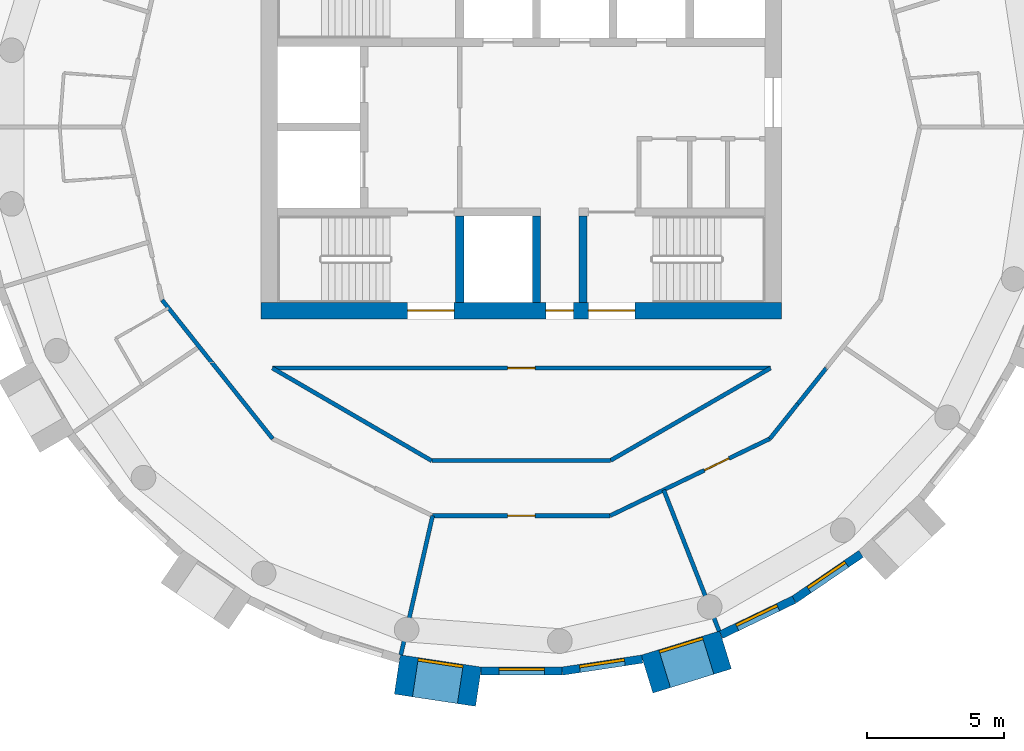
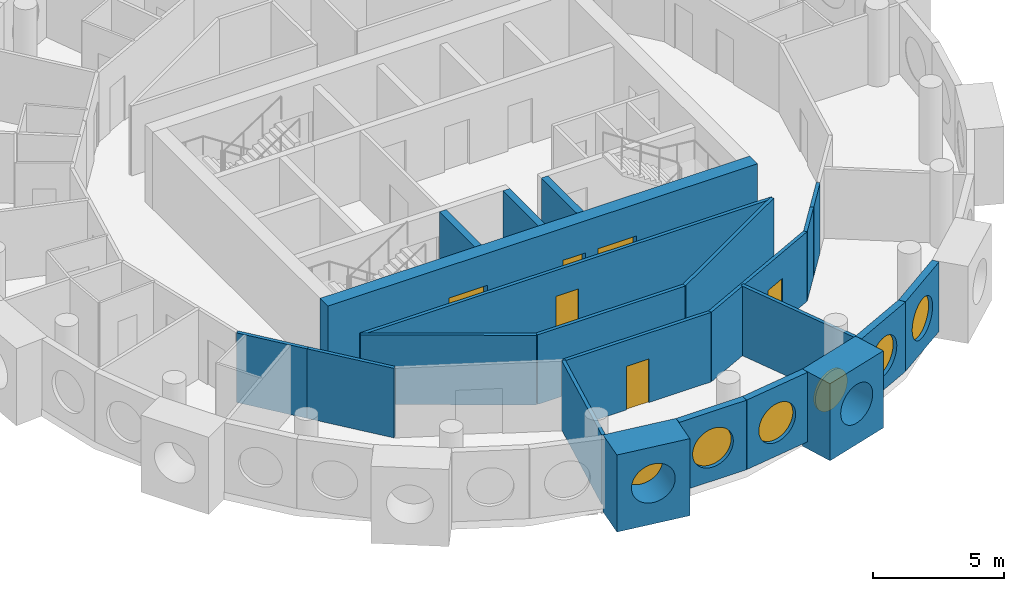
# One storey, part 3 of 12: 22 walls, 6 doors, 6 windows, 12 openings.
"""IFC4 building model written with IfcOpenShell, lengths in metres."""

from ifc_helpers import new_model, si_unit, direction, frame, frame_2d, origin, origin_2d, place, context, subcontext, project, spatial, rectangle, circle, extrude, material, layer, layer_set, type_object, element, fill, save


model = new_model("IFC4")

# Units and contexts
model_context = context("Model", 3, precision=1e-05, world=origin(), true_north=direction((0.0, 1.0)))
body_context = subcontext(model_context, "Body", "Model", "MODEL_VIEW")
ifc_project = project(units=[si_unit("LENGTHUNIT", "METRE"), si_unit("AREAUNIT", "SQUARE_METRE"), si_unit("VOLUMEUNIT", "CUBIC_METRE"), si_unit("PLANEANGLEUNIT", "RADIAN"), si_unit("MASSUNIT", "GRAM", prefix="KILO")], contexts=[model_context])

# Site, building, storey
site_placement = place(None, origin())
site = spatial("IfcSite", under=ifc_project, at=site_placement, CompositionType="ELEMENT")
building_placement = place(site_placement, origin())
building = spatial("IfcBuilding", under=site, at=building_placement, Name="Tracery Tower", CompositionType="ELEMENT")
storey_placement = place(building_placement, frame((0.0, 0.0, 312.60009765625)))
storey = spatial("IfcBuildingStorey", under=building, at=storey_placement, Name="L81", CompositionType="ELEMENT", Elevation=312.60009765625)

# Wall, openings, doors
ifc_material_1 = material(Name="Concrete C40/50", Category="concrete")
ifc_layer_1 = layer(ifc_material_1, 0.60009765625)
ifc_layer_set_1 = layer_set([ifc_layer_1], Name="Core wall 600 C40")
wall_type_1 = type_object("IfcWallType", Name="Core wall 600 C40", PredefinedType="SOLIDWALL", material=ifc_layer_set_1)
wall_1_placement = place(storey_placement, frame((-9.5, -6.699951171875, 0.0), z_axis=(0.0, 0.0, 1.0), x_axis=(1.0, 0.0, 0.0)))
wall_1 = element("IfcWall", 1, at=wall_1_placement, inside=storey, type_object=wall_type_1, Name="L81 outer S", PredefinedType="SOLIDWALL", context=body_context, shape_type="SweptSolid", body=[
    extrude(rectangle(XDim=19.0, YDim=0.60009765625, at=frame_2d((9.5, 0.0))), origin(), (0.0, 0.0, 1.0), 3.599853515625),
])
opening_1_placement = place(wall_1_placement, frame((10.39990234375, 0.0, 0.0)))
opening_1 = element("IfcOpeningElement", 2, at=opening_1_placement, cuts=wall_1, Name="Opening KD16", PredefinedType="OPENING", context=body_context, shape_type="SweptSolid", body=[
    extrude(rectangle(XDim=1.0, YDim=2.10009765625, at=frame_2d((0.5, 1.050048828125))), frame((0.0, 0.300048828125, 0.0), z_axis=(0.0, -1.0, 0.0), x_axis=(1.0, 0.0, 0.0)), (0.0, 0.0, 1.0), 0.60009765625),
])
opening_2_placement = place(wall_1_placement, frame((5.35009765625, 0.0, 0.0)))
opening_2 = element("IfcOpeningElement", 3, at=opening_2_placement, cuts=wall_1, Name="Opening KD3", PredefinedType="OPENING", context=body_context, shape_type="SweptSolid", body=[
    extrude(rectangle(XDim=1.699951171875, YDim=2.10009765625, at=frame_2d((0.85009765625, 1.050048828125))), frame((0.0, 0.300048828125, 0.0), z_axis=(0.0, -1.0, 0.0), x_axis=(1.0, 0.0, 0.0)), (0.0, 0.0, 1.0), 0.60009765625),
])
opening_3_placement = place(wall_1_placement, frame((11.949951171875, 0.0, 0.0)))
opening_3 = element("IfcOpeningElement", 4, at=opening_3_placement, cuts=wall_1, Name="Opening KD3", PredefinedType="OPENING", context=body_context, shape_type="SweptSolid", body=[
    extrude(rectangle(XDim=1.699951171875, YDim=2.10009765625, at=frame_2d((0.85009765625, 1.050048828125))), frame((0.0, 0.300048828125, 0.0), z_axis=(0.0, -1.0, 0.0), x_axis=(1.0, 0.0, 0.0)), (0.0, 0.0, 1.0), 0.60009765625),
])
ifc_material_2 = material(Name="Steel fire door", Category="steel")
door_type_1 = type_object("IfcDoorType", Name="Core exit door 1000", OperationType="NOTDEFINED", PredefinedType="DOOR", material=ifc_material_2)
door_1_placement = place(opening_1_placement, origin())
door_1 = element("IfcDoor", 5, at=door_1_placement, inside=storey, type_object=door_type_1, Name="Core exit door", OperationType="SINGLE_SWING_LEFT", OverallHeight=2.10009765625, OverallWidth=1.0, PredefinedType="DOOR", context=body_context, shape_type="SweptSolid", body=[
    extrude(rectangle(XDim=1.0, YDim=2.10009765625, at=frame_2d((0.5, 1.050048828125))), frame((0.0, 0.02490234375, 0.0), z_axis=(0.0, -1.0, 0.0), x_axis=(1.0, 0.0, 0.0)), (0.0, 0.0, 1.0), 0.050048828125),
])
fill(opening_1, door_1)
ifc_material_3 = material(Name="Steel fire door", Category="steel")
door_type_2 = type_object("IfcDoorType", Name="Core stair door 1700 double", OperationType="NOTDEFINED", PredefinedType="DOOR", material=ifc_material_3)
door_2_placement = place(opening_2_placement, origin())
door_2 = element("IfcDoor", 6, at=door_2_placement, inside=storey, type_object=door_type_2, Name="Stair door ST1 exit", OperationType="DOUBLE_DOOR_SINGLE_SWING", OverallHeight=2.10009765625, OverallWidth=1.699951171875, PredefinedType="DOOR", context=body_context, shape_type="SweptSolid", body=[
    extrude(rectangle(XDim=1.699951171875, YDim=2.10009765625, at=frame_2d((0.85009765625, 1.050048828125))), frame((0.0, 0.02490234375, 0.0), z_axis=(0.0, -1.0, 0.0), x_axis=(1.0, 0.0, 0.0)), (0.0, 0.0, 1.0), 0.050048828125),
])
fill(opening_2, door_2)
door_3_placement = place(opening_3_placement, origin())
door_3 = element("IfcDoor", 7, at=door_3_placement, inside=storey, type_object=door_type_2, Name="Stair door ST2 exit", OperationType="DOUBLE_DOOR_SINGLE_SWING", OverallHeight=2.10009765625, OverallWidth=1.699951171875, PredefinedType="DOOR", context=body_context, shape_type="SweptSolid", body=[
    extrude(rectangle(XDim=1.699951171875, YDim=2.10009765625, at=frame_2d((0.85009765625, 1.050048828125))), frame((0.0, 0.02490234375, 0.0), z_axis=(0.0, -1.0, 0.0), x_axis=(1.0, 0.0, 0.0)), (0.0, 0.0, 1.0), 0.050048828125),
])
fill(opening_3, door_3)

# Wall, opening, window
ifc_material_4 = material(Name="Precast concrete C50/60", Category="concrete")
ifc_layer_2 = layer(ifc_material_4, 1.449951171875)
ifc_layer_set_2 = layer_set([ifc_layer_2], Name="Deep-set bay unit 3000 x 3600, slab edge 350")
wall_type_2 = type_object("IfcWallType", Name="Deep-set bay unit 3000 x 3600, slab edge 350", PredefinedType="ELEMENTEDWALL", material=ifc_layer_set_2)
wall_2_placement = place(storey_placement, frame((-4.52978515625, -19.9892578125, -0.35009765625), z_axis=(0.0, 0.0, 1.0), x_axis=(0.988836445254, -0.149004981587, 0.0)))
wall_2 = element("IfcWall", 8, at=wall_2_placement, inside=storey, type_object=wall_type_2, Name="Deep-set bay unit 31 at L81", PredefinedType="ELEMENTEDWALL", context=body_context, shape_type="SweptSolid", body=[
    extrude(rectangle(XDim=3.0, YDim=1.449951171875, at=frame_2d((1.5, 0.0))), origin(), (0.0, 0.0, 1.0), 3.60009765625),
])
opening_4_placement = place(wall_2_placement, frame((1.5, 0.0, 1.89990234375)))
opening_4 = element("IfcOpeningElement", 9, at=opening_4_placement, cuts=wall_2, Name="Opening WN1", PredefinedType="OPENING", context=body_context, shape_type="SweptSolid", body=[
    extrude(circle(Radius=0.9000244140625, at=origin_2d()), frame((0.0, 0.73486328125, 0.0), z_axis=(0.0, -1.0, 0.0), x_axis=(1.0, 0.0, 0.0)), (0.0, 0.0, 1.0), 1.469970703125),
])
ifc_material_5 = material(Name="Aluminium frame with tinted double glazing", Category="aluminium")
window_type = type_object("IfcWindowType", Name="Round window 1800", PartitioningType="SINGLE_PANEL", PredefinedType="WINDOW", material=ifc_material_5)
window_1_placement = place(opening_4_placement, origin())
window_1 = element("IfcWindow", 10, at=window_1_placement, inside=storey, type_object=window_type, Name="Round window 31 at L81", OverallHeight=1.800048828125, OverallWidth=1.800048828125, PartitioningType="SINGLE_PANEL", PredefinedType="WINDOW", context=body_context, shape_type="SweptSolid", body=[
    extrude(circle(Radius=0.9000244140625, at=origin_2d()), frame((0.0, 0.69482421875, 0.0), z_axis=(0.0, -1.0, 0.0), x_axis=(1.0, 0.0, 0.0)), (0.0, 0.0, 1.0), 0.10009765625),
])
fill(opening_4, window_1)

wall_3_placement = place(storey_placement, frame((4.591796875, -19.97509765625, -0.35009765625), z_axis=(0.0, 0.0, 1.0), x_axis=(0.955571139978, 0.294760574774, 0.0)))
wall_3 = element("IfcWall", 11, at=wall_3_placement, inside=storey, type_object=wall_type_2, Name="Deep-set bay unit 34 at L81", PredefinedType="ELEMENTEDWALL", context=body_context, shape_type="SweptSolid", body=[
    extrude(rectangle(XDim=3.0, YDim=1.449951171875, at=frame_2d((1.5, 0.0))), origin(), (0.0, 0.0, 1.0), 3.60009765625),
])
opening_5_placement = place(wall_3_placement, frame((1.5, 0.0, 1.89990234375)))
opening_5 = element("IfcOpeningElement", 12, at=opening_5_placement, cuts=wall_3, Name="Opening WN1", PredefinedType="OPENING", context=body_context, shape_type="SweptSolid", body=[
    extrude(circle(Radius=0.9000244140625, at=origin_2d()), frame((0.0, 0.73486328125, 0.0), z_axis=(0.0, -1.0, 0.0), x_axis=(1.0, 0.0, 0.0)), (0.0, 0.0, 1.0), 1.469970703125),
])
window_2_placement = place(opening_5_placement, origin())
window_2 = element("IfcWindow", 13, at=window_2_placement, inside=storey, type_object=window_type, Name="Round window 34 at L81", OverallHeight=1.800048828125, OverallWidth=1.800048828125, PartitioningType="SINGLE_PANEL", PredefinedType="WINDOW", context=body_context, shape_type="SweptSolid", body=[
    extrude(circle(Radius=0.9000244140625, at=origin_2d()), frame((0.0, 0.69482421875, 0.0), z_axis=(0.0, -1.0, 0.0), x_axis=(1.0, 0.0, 0.0)), (0.0, 0.0, 1.0), 0.10009765625),
])
fill(opening_5, window_2)

ifc_material_6 = material(Name="Precast concrete C50/60", Category="concrete")
ifc_layer_3 = layer(ifc_material_6, 0.300048828125)
ifc_layer_set_3 = layer_set([ifc_layer_3], Name="Facade panel 3000 x 3250")
wall_type_3 = type_object("IfcWallType", Name="Facade panel 3000 x 3250", PredefinedType="SOLIDWALL", material=ifc_layer_set_3)
wall_4_placement = place(storey_placement, frame((-1.473388671875, -19.865966796875, 0.0), z_axis=(0.0, 0.0, 1.0), x_axis=(1.0, 0.0, 0.0)))
wall_4 = element("IfcWall", 14, at=wall_4_placement, inside=storey, type_object=wall_type_3, Name="Facade panel 32 at L81", PredefinedType="SOLIDWALL", context=body_context, shape_type="SweptSolid", body=[
    extrude(rectangle(XDim=2.962158203125, YDim=0.300048828125, at=frame_2d((1.48095703125, 0.0))), origin(), (0.0, 0.0, 1.0), 3.25),
])
opening_6_placement = place(wall_4_placement, frame((1.48095703125, 0.0, 1.5498046875)))
opening_6 = element("IfcOpeningElement", 15, at=opening_6_placement, cuts=wall_4, Name="Opening WN1", PredefinedType="OPENING", context=body_context, shape_type="SweptSolid", body=[
    extrude(circle(Radius=0.9000244140625, at=origin_2d()), frame((0.0, 0.159912109375, 0.0), z_axis=(0.0, -1.0, 0.0), x_axis=(1.0, 0.0, 0.0)), (0.0, 0.0, 1.0), 0.320068359375),
])
window_3_placement = place(opening_6_placement, origin())
window_3 = element("IfcWindow", 16, at=window_3_placement, inside=storey, type_object=window_type, Name="Round window 32 at L81", OverallHeight=1.800048828125, OverallWidth=1.800048828125, PartitioningType="SINGLE_PANEL", PredefinedType="WINDOW", context=body_context, shape_type="SweptSolid", body=[
    extrude(circle(Radius=0.9000244140625, at=origin_2d()), frame((0.0, 0.1201171875, 0.0), z_axis=(0.0, -1.0, 0.0), x_axis=(1.0, 0.0, 0.0)), (0.0, 0.0, 1.0), 0.10009765625),
])
fill(opening_6, window_3)

wall_5_placement = place(storey_placement, frame((1.48876953125, -19.865966796875, 0.0), z_axis=(0.0, 0.0, 1.0), x_axis=(0.988835775663, 0.149009425104, 0.0)))
wall_5 = element("IfcWall", 17, at=wall_5_placement, inside=storey, type_object=wall_type_3, Name="Facade panel 33 at L81", PredefinedType="SOLIDWALL", context=body_context, shape_type="SweptSolid", body=[
    extrude(rectangle(XDim=2.962158203125, YDim=0.300048828125, at=frame_2d((1.48095703125, 0.0))), origin(), (0.0, 0.0, 1.0), 3.25),
])
opening_7_placement = place(wall_5_placement, frame((1.48095703125, 0.0, 1.5498046875)))
opening_7 = element("IfcOpeningElement", 18, at=opening_7_placement, cuts=wall_5, Name="Opening WN1", PredefinedType="OPENING", context=body_context, shape_type="SweptSolid", body=[
    extrude(circle(Radius=0.9000244140625, at=origin_2d()), frame((0.0, 0.159912109375, 0.0), z_axis=(0.0, -1.0, 0.0), x_axis=(1.0, 0.0, 0.0)), (0.0, 0.0, 1.0), 0.320068359375),
])
window_4_placement = place(opening_7_placement, origin())
window_4 = element("IfcWindow", 19, at=window_4_placement, inside=storey, type_object=window_type, Name="Round window 33 at L81", OverallHeight=1.800048828125, OverallWidth=1.800048828125, PartitioningType="SINGLE_PANEL", PredefinedType="WINDOW", context=body_context, shape_type="SweptSolid", body=[
    extrude(circle(Radius=0.9000244140625, at=origin_2d()), frame((0.0, 0.1201171875, 0.0), z_axis=(0.0, -1.0, 0.0), x_axis=(1.0, 0.0, 0.0)), (0.0, 0.0, 1.0), 0.10009765625),
])
fill(opening_7, window_4)

wall_6_placement = place(storey_placement, frame((7.2919921875, -18.5380859375, 0.0), z_axis=(0.0, 0.0, 1.0), x_axis=(0.90095513435, 0.433912255978, 0.0)))
wall_6 = element("IfcWall", 20, at=wall_6_placement, inside=storey, type_object=wall_type_3, Name="Facade panel 35 at L81", PredefinedType="SOLIDWALL", context=body_context, shape_type="SweptSolid", body=[
    extrude(rectangle(XDim=2.96240234375, YDim=0.300048828125, at=frame_2d((1.481201171875, 0.0))), origin(), (0.0, 0.0, 1.0), 3.25),
])
opening_8_placement = place(wall_6_placement, frame((1.48095703125, 0.0, 1.5498046875)))
opening_8 = element("IfcOpeningElement", 21, at=opening_8_placement, cuts=wall_6, Name="Opening WN1", PredefinedType="OPENING", context=body_context, shape_type="SweptSolid", body=[
    extrude(circle(Radius=0.9000244140625, at=origin_2d()), frame((0.0, 0.159912109375, 0.0), z_axis=(0.0, -1.0, 0.0), x_axis=(1.0, 0.0, 0.0)), (0.0, 0.0, 1.0), 0.320068359375),
])
window_5_placement = place(opening_8_placement, origin())
window_5 = element("IfcWindow", 22, at=window_5_placement, inside=storey, type_object=window_type, Name="Round window 35 at L81", OverallHeight=1.800048828125, OverallWidth=1.800048828125, PartitioningType="SINGLE_PANEL", PredefinedType="WINDOW", context=body_context, shape_type="SweptSolid", body=[
    extrude(circle(Radius=0.9000244140625, at=origin_2d()), frame((0.0, 0.1201171875, 0.0), z_axis=(0.0, -1.0, 0.0), x_axis=(1.0, 0.0, 0.0)), (0.0, 0.0, 1.0), 0.10009765625),
])
fill(opening_8, window_5)

wall_7_placement = place(storey_placement, frame((9.9609375, -17.252685546875, 0.0), z_axis=(0.0, 0.0, 1.0), x_axis=(0.826236061068, 0.563324037646, 0.0)))
wall_7 = element("IfcWall", 23, at=wall_7_placement, inside=storey, type_object=wall_type_3, Name="Facade panel 36 at L81", PredefinedType="SOLIDWALL", context=body_context, shape_type="SweptSolid", body=[
    extrude(rectangle(XDim=2.962158203125, YDim=0.300048828125, at=frame_2d((1.48095703125, 0.0))), origin(), (0.0, 0.0, 1.0), 3.25),
])
opening_9_placement = place(wall_7_placement, frame((1.48095703125, 0.0, 1.5498046875)))
opening_9 = element("IfcOpeningElement", 24, at=opening_9_placement, cuts=wall_7, Name="Opening WN1", PredefinedType="OPENING", context=body_context, shape_type="SweptSolid", body=[
    extrude(circle(Radius=0.9000244140625, at=origin_2d()), frame((0.0, 0.159912109375, 0.0), z_axis=(0.0, -1.0, 0.0), x_axis=(1.0, 0.0, 0.0)), (0.0, 0.0, 1.0), 0.320068359375),
])
window_6_placement = place(opening_9_placement, origin())
window_6 = element("IfcWindow", 25, at=window_6_placement, inside=storey, type_object=window_type, Name="Round window 36 at L81", OverallHeight=1.800048828125, OverallWidth=1.800048828125, PartitioningType="SINGLE_PANEL", PredefinedType="WINDOW", context=body_context, shape_type="SweptSolid", body=[
    extrude(circle(Radius=0.9000244140625, at=origin_2d()), frame((0.0, 0.1201171875, 0.0), z_axis=(0.0, -1.0, 0.0), x_axis=(1.0, 0.0, 0.0)), (0.0, 0.0, 1.0), 0.10009765625),
])
fill(opening_9, window_6)

# Walls
ifc_material_7 = material(Name="Plasterboard on steel studs", Category="steel")
ifc_layer_4 = layer(ifc_material_7, 0.14990234375)
ifc_layer_set_4 = layer_set([ifc_layer_4], Name="Partition 150 acoustic unit wall")
wall_type_4 = type_object("IfcWallType", Name="Partition 150 acoustic unit wall", PredefinedType="PARTITIONING", material=ifc_layer_set_4)
wall_8_placement = place(storey_placement, frame((-4.39990234375, -19.27587890625, 0.0), z_axis=(0.0, 0.0, 1.0), x_axis=(0.222612505682, 0.974907007008, 0.0)))
element("IfcWall", 26, at=wall_8_placement, inside=storey, type_object=wall_type_4, Name="Unit wall RC8-085", PredefinedType="PARTITIONING", context=body_context, shape_type="SweptSolid", body=[
    extrude(rectangle(XDim=5.21484375, YDim=0.14990234375, at=frame_2d((2.607421875, 0.0))), origin(), (0.0, 0.0, 1.0), 3.25),
])
wall_9_placement = place(storey_placement, frame((5.198974609375, -13.248046875, 0.0), z_axis=(0.0, 0.0, 1.0), x_axis=(0.365334662456, -0.930876245485, 0.0)))
element("IfcWall", 27, at=wall_9_placement, inside=storey, type_object=wall_type_4, Name="Unit wall RC8-086", PredefinedType="PARTITIONING", context=body_context, shape_type="SweptSolid", body=[
    extrude(rectangle(XDim=5.5400390625, YDim=0.14990234375, at=frame_2d((2.77001953125, 0.0))), origin(), (0.0, 0.0, 1.0), 3.25),
])

# Wall, opening, door
ifc_material_8 = material(Name="Plasterboard on steel studs", Category="steel")
ifc_layer_5 = layer(ifc_material_8, 0.14990234375)
ifc_layer_set_5 = layer_set([ifc_layer_5], Name="Partition 150 corridor wall")
wall_type_5 = type_object("IfcWallType", Name="Partition 150 corridor wall", PredefinedType="PARTITIONING", material=ifc_layer_set_5)
wall_10_placement = place(storey_placement, frame((-9.092041015625, -8.800048828125, 0.0), z_axis=(0.0, 0.0, 1.0), x_axis=(1.0, 0.0, 0.0)))
wall_10 = element("IfcWall", 28, at=wall_10_placement, inside=storey, type_object=wall_type_5, Name="Corridor wall RC8-012", PredefinedType="PARTITIONING", context=body_context, shape_type="SweptSolid", body=[
    extrude(rectangle(XDim=18.192626953125, YDim=0.14990234375, at=frame_2d((9.09619140625, 0.0))), origin(), (0.0, 0.0, 1.0), 3.25),
])
opening_10_placement = place(wall_10_placement, frame((8.592041015625, 0.0, 0.0)))
opening_10 = element("IfcOpeningElement", 29, at=opening_10_placement, cuts=wall_10, Name="Opening RC8-03", PredefinedType="OPENING", context=body_context, shape_type="SweptSolid", body=[
    extrude(rectangle(XDim=1.0, YDim=2.0400390625, at=frame_2d((0.5, 1.02001953125))), frame((0.0, 0.074951171875, 0.0), z_axis=(0.0, -1.0, 0.0), x_axis=(1.0, 0.0, 0.0)), (0.0, 0.0, 1.0), 0.14990234375),
])
ifc_material_9 = material(Name="Timber door leaf", Category="wood")
door_type_3 = type_object("IfcDoorType", Name="Door communal room 1000", OperationType="NOTDEFINED", PredefinedType="DOOR", material=ifc_material_9)
door_4_placement = place(opening_10_placement, origin())
door_4 = element("IfcDoor", 30, at=door_4_placement, inside=storey, type_object=door_type_3, Name="Communal room door RC8-03", OperationType="SINGLE_SWING_RIGHT", OverallHeight=2.0400390625, OverallWidth=1.0, PredefinedType="DOOR", context=body_context, shape_type="SweptSolid", body=[
    extrude(rectangle(XDim=1.0, YDim=2.0400390625, at=frame_2d((0.5, 1.02001953125))), frame((0.0, 0.02490234375, 0.0), z_axis=(0.0, -1.0, 0.0), x_axis=(1.0, 0.0, 0.0)), (0.0, 0.0, 1.0), 0.050048828125),
])
fill(opening_10, door_4)

# Walls
wall_11_placement = place(storey_placement, frame((-9.092041015625, -8.800048828125, 0.0), z_axis=(0.0, 0.0, 1.0), x_axis=(0.864470922103, -0.502682827277, 0.0)))
element("IfcWall", 31, at=wall_11_placement, inside=storey, type_object=wall_type_5, Name="Corridor wall RC8-013", PredefinedType="PARTITIONING", context=body_context, shape_type="SweptSolid", body=[
    extrude(rectangle(XDim=6.7353515625, YDim=0.14990234375, at=frame_2d((3.36767578125, 0.0))), origin(), (0.0, 0.0, 1.0), 3.25),
])
wall_12_placement = place(storey_placement, frame((-11.300048828125, -8.59619140625, 0.0), z_axis=(0.0, 0.0, 1.0), x_axis=(0.623165080354, -0.782090328944, 0.0)))
element("IfcWall", 32, at=wall_12_placement, inside=storey, type_object=wall_type_5, Name="Corridor wall RC8-014", PredefinedType="PARTITIONING", context=body_context, shape_type="SweptSolid", body=[
    extrude(rectangle(XDim=3.56396484375, YDim=0.14990234375, at=frame_2d((1.781982421875, 0.0))), origin(), (0.0, 0.0, 1.0), 3.25),
])
wall_13_placement = place(storey_placement, frame((10.10107421875, -10.10107421875, 0.0), z_axis=(0.0, 0.0, 1.0), x_axis=(0.623098344652, 0.782143498913, 0.0)))
element("IfcWall", 33, at=wall_13_placement, inside=storey, type_object=wall_type_5, Name="Corridor wall RC8-019", PredefinedType="PARTITIONING", context=body_context, shape_type="SweptSolid", body=[
    extrude(rectangle(XDim=1.660888671875, YDim=0.14990234375, at=frame_2d((0.83056640625, 0.0))), origin(), (0.0, 0.0, 1.0), 3.25),
])
wall_14_placement = place(storey_placement, frame((-13.114990234375, -6.31591796875, 0.0), z_axis=(0.0, 0.0, 1.0), x_axis=(0.622042479172, -0.782983495423, 0.0)))
element("IfcWall", 34, at=wall_14_placement, inside=storey, type_object=wall_type_5, Name="Corridor wall RC8-036", PredefinedType="PARTITIONING", context=body_context, shape_type="SweptSolid", body=[
    extrude(rectangle(XDim=2.9111328125, YDim=0.14990234375, at=frame_2d((1.45556640625, 0.0))), origin(), (0.0, 0.0, 1.0), 3.25),
])
wall_15_placement = place(storey_placement, frame((-3.260986328125, -12.1708984375, 0.0), z_axis=(0.0, 0.0, 1.0), x_axis=(1.0, 0.0, 0.0)))
element("IfcWall", 35, at=wall_15_placement, inside=storey, type_object=wall_type_5, Name="Corridor wall RC8-037", PredefinedType="PARTITIONING", context=body_context, shape_type="SweptSolid", body=[
    extrude(rectangle(XDim=6.52197265625, YDim=0.14990234375, at=frame_2d((3.260986328125, 0.0))), origin(), (0.0, 0.0, 1.0), 3.25),
])
wall_16_placement = place(storey_placement, frame((3.260986328125, -12.1708984375, 0.0), z_axis=(0.0, 0.0, 1.0), x_axis=(0.866066809554, 0.499928276245, 0.0)))
element("IfcWall", 36, at=wall_16_placement, inside=storey, type_object=wall_type_5, Name="Corridor wall RC8-038", PredefinedType="PARTITIONING", context=body_context, shape_type="SweptSolid", body=[
    extrude(rectangle(XDim=6.74267578125, YDim=0.14990234375, at=frame_2d((3.371337890625, 0.0))), origin(), (0.0, 0.0, 1.0), 3.25),
])

# Wall, opening, door
wall_17_placement = place(storey_placement, frame((3.239013671875, -14.19189453125, 0.0), z_axis=(0.0, 0.0, 1.0), x_axis=(0.900851590682, 0.434127183629, 0.0)))
wall_17 = element("IfcWall", 37, at=wall_17_placement, inside=storey, type_object=wall_type_5, Name="Corridor wall RC8-040", PredefinedType="PARTITIONING", context=body_context, shape_type="SweptSolid", body=[
    extrude(rectangle(XDim=6.478515625, YDim=0.14990234375, at=frame_2d((3.2392578125, 0.0))), origin(), (0.0, 0.0, 1.0), 3.25),
])
opening_11_placement = place(wall_17_placement, frame((3.82470703125, 0.0, 0.0)))
opening_11 = element("IfcOpeningElement", 38, at=opening_11_placement, cuts=wall_17, Name="Opening RC8-31", PredefinedType="OPENING", context=body_context, shape_type="SweptSolid", body=[
    extrude(rectangle(XDim=1.0, YDim=2.0400390625, at=frame_2d((0.5, 1.02001953125))), frame((0.0, 0.074951171875, 0.0), z_axis=(0.0, -1.0, 0.0), x_axis=(1.0, 0.0, 0.0)), (0.0, 0.0, 1.0), 0.14990234375),
])
door_5_placement = place(opening_11_placement, origin())
door_5 = element("IfcDoor", 39, at=door_5_placement, inside=storey, type_object=door_type_3, Name="Communal room door RC8-31", OperationType="SINGLE_SWING_RIGHT", OverallHeight=2.0400390625, OverallWidth=1.0, PredefinedType="DOOR", context=body_context, shape_type="SweptSolid", body=[
    extrude(rectangle(XDim=1.0, YDim=2.0400390625, at=frame_2d((0.5, 1.02001953125))), frame((0.0, 0.02490234375, 0.0), z_axis=(0.0, -1.0, 0.0), x_axis=(1.0, 0.0, 0.0)), (0.0, 0.0, 1.0), 0.050048828125),
])
fill(opening_11, door_5)

wall_18_placement = place(storey_placement, frame((-3.239013671875, -14.19189453125, 0.0), z_axis=(0.0, 0.0, 1.0), x_axis=(1.0, 0.0, 0.0)))
wall_18 = element("IfcWall", 40, at=wall_18_placement, inside=storey, type_object=wall_type_5, Name="Corridor wall RC8-041", PredefinedType="PARTITIONING", context=body_context, shape_type="SweptSolid", body=[
    extrude(rectangle(XDim=6.47802734375, YDim=0.14990234375, at=frame_2d((3.239013671875, 0.0))), origin(), (0.0, 0.0, 1.0), 3.25),
])
opening_12_placement = place(wall_18_placement, frame((2.739013671875, 0.0, 0.0)))
opening_12 = element("IfcOpeningElement", 41, at=opening_12_placement, cuts=wall_18, Name="Opening RC8-30", PredefinedType="OPENING", context=body_context, shape_type="SweptSolid", body=[
    extrude(rectangle(XDim=1.0, YDim=2.0400390625, at=frame_2d((0.5, 1.02001953125))), frame((0.0, 0.074951171875, 0.0), z_axis=(0.0, -1.0, 0.0), x_axis=(1.0, 0.0, 0.0)), (0.0, 0.0, 1.0), 0.14990234375),
])
door_6_placement = place(opening_12_placement, origin())
door_6 = element("IfcDoor", 42, at=door_6_placement, inside=storey, type_object=door_type_3, Name="Communal room door RC8-30", OperationType="SINGLE_SWING_RIGHT", OverallHeight=2.0400390625, OverallWidth=1.0, PredefinedType="DOOR", context=body_context, shape_type="SweptSolid", body=[
    extrude(rectangle(XDim=1.0, YDim=2.0400390625, at=frame_2d((0.5, 1.02001953125))), frame((0.0, 0.02490234375, 0.0), z_axis=(0.0, -1.0, 0.0), x_axis=(1.0, 0.0, 0.0)), (0.0, 0.0, 1.0), 0.050048828125),
])
fill(opening_12, door_6)

# Walls
wall_19_placement = place(storey_placement, frame((9.075927734375, -11.381103515625, 0.0), z_axis=(0.0, 0.0, 1.0), x_axis=(0.623805208652, 0.781579849829, 0.0)))
element("IfcWall", 43, at=wall_19_placement, inside=storey, type_object=wall_type_5, Name="Corridor wall RC8-042", PredefinedType="PARTITIONING", context=body_context, shape_type="SweptSolid", body=[
    extrude(rectangle(XDim=1.64013671875, YDim=0.14990234375, at=frame_2d((0.820068359375, 0.0))), origin(), (0.0, 0.0, 1.0), 3.25),
])
ifc_material_10 = material(Name="Concrete C40/50", Category="concrete")
ifc_layer_6 = layer(ifc_material_10, 0.300048828125)
ifc_layer_set_6 = layer_set([ifc_layer_6], Name="Shaft wall 300 C40")
wall_type_6 = type_object("IfcWallType", Name="Shaft wall 300 C40", PredefinedType="SOLIDWALL", material=ifc_layer_set_6)
wall_20_placement = place(storey_placement, frame((0.550048828125, -6.39990234375, 0.0), z_axis=(0.0, 0.0, 1.0), x_axis=(0.0, 1.0, 0.0)))
element("IfcWall", 44, at=wall_20_placement, inside=storey, type_object=wall_type_6, Name="L81 OB2 E", PredefinedType="SOLIDWALL", context=body_context, shape_type="SweptSolid", body=[
    extrude(rectangle(XDim=3.14990234375, YDim=0.300048828125, at=frame_2d((1.574951171875, 0.0))), origin(), (0.0, 0.0, 1.0), 3.25),
])
ifc_material_11 = material(Name="Concrete C40/50", Category="concrete")
ifc_layer_7 = layer(ifc_material_11, 0.300048828125)
ifc_layer_set_7 = layer_set([ifc_layer_7], Name="Stair wall 300 C40")
wall_type_7 = type_object("IfcWallType", Name="Stair wall 300 C40", PredefinedType="SOLIDWALL", material=ifc_layer_set_7)
for number, where, z_axis, x_axis, name in (
    (45, (-2.25, -6.39990234375, 0.0), (0.0, 0.0, 1.0), (0.0, 1.0, 0.0), "L81 ST1 E"),
    (46, (2.25, -6.39990234375, 0.0), (0.0, 0.0, 1.0), (0.0, 1.0, 0.0), "L81 ST2 W"),
):
    element("IfcWall", number, at=place(storey_placement, frame(where, z_axis=z_axis, x_axis=x_axis)), inside=storey, type_object=wall_type_7, Name=name, PredefinedType="SOLIDWALL", context=body_context, shape_type="SweptSolid", body=[
        extrude(rectangle(XDim=3.14990234375, YDim=0.300048828125, at=frame_2d((1.574951171875, 0.0))), origin(), (0.0, 0.0, 1.0), 3.25),
    ])

save(model, "model.ifc")
